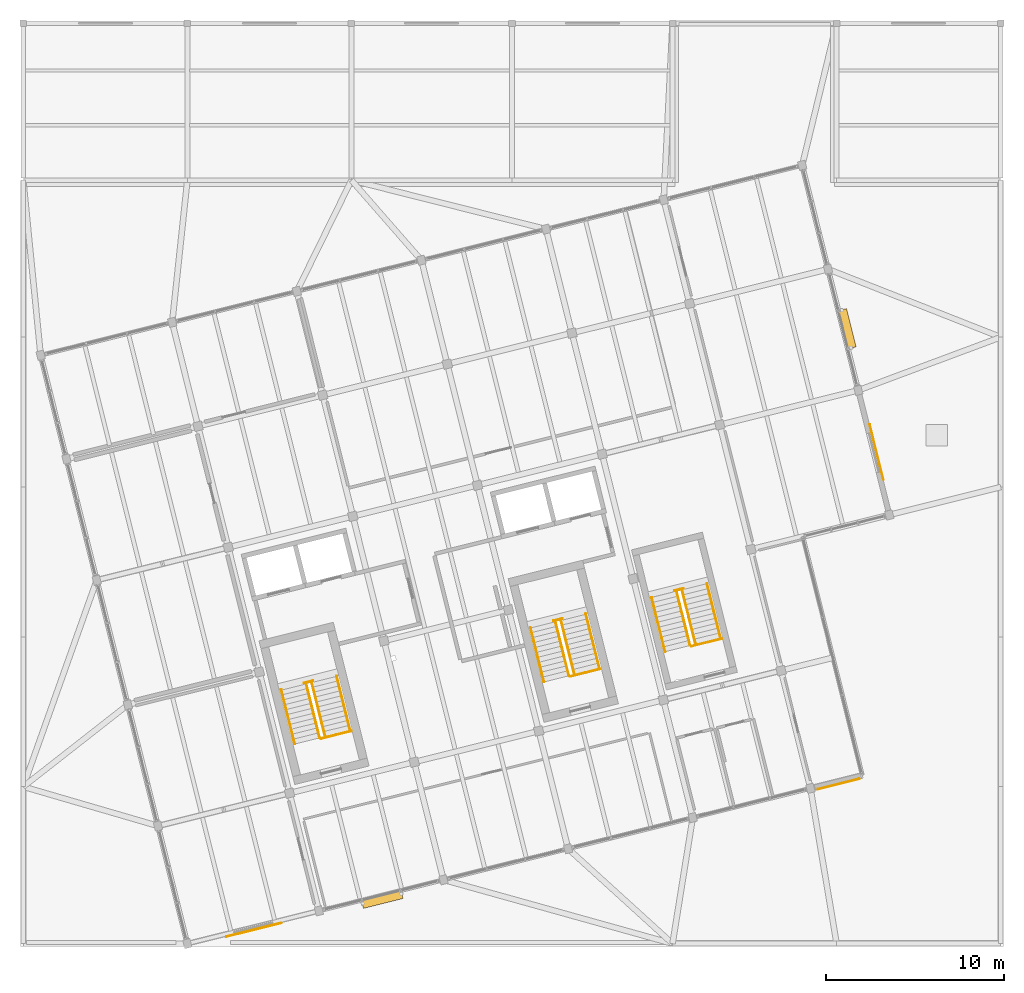
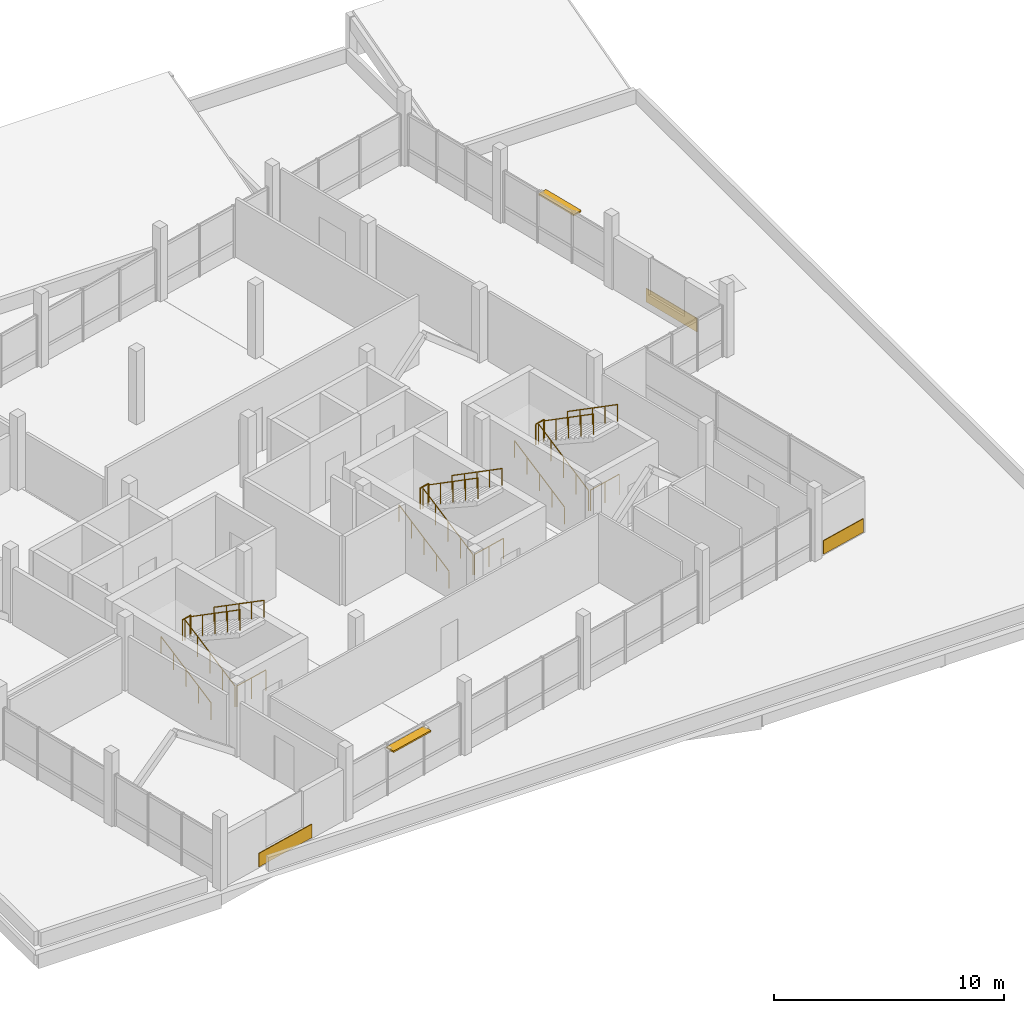
# One storey, part 37 of 37: 18 railings, 3 coverings, 2 shading devices.
"""IFC4 building model written with IfcOpenShell, lengths in metres."""

from ifc_helpers import new_model, si_unit, direction, frame, origin, origin_2d, place, context, subcontext, project, spatial, rectangle, circle, extrude, material, layer, layer_set, type_object, element, save


model = new_model("IFC4")

# Units and contexts
model_context = context("Model", 3, precision=1e-05, world=origin(), true_north=direction((0.0, 1.0)))
body_context = subcontext(model_context, "Body", "Model", "MODEL_VIEW")
ifc_project = project(units=[si_unit("LENGTHUNIT", "METRE"), si_unit("AREAUNIT", "SQUARE_METRE"), si_unit("VOLUMEUNIT", "CUBIC_METRE"), si_unit("PLANEANGLEUNIT", "RADIAN"), si_unit("MASSUNIT", "GRAM", prefix="KILO")], contexts=[model_context])

# Site, building, storey
site_placement = place(None, origin())
site = spatial("IfcSite", under=ifc_project, at=site_placement, CompositionType="ELEMENT")
building_placement = place(site_placement, origin())
building = spatial("IfcBuilding", under=site, at=building_placement, Name="Meriwether Solvik Hall", CompositionType="ELEMENT")
storey_placement = place(building_placement, frame((0.0, 0.0, 26.10009765625)))
storey = spatial("IfcBuildingStorey", under=building, at=storey_placement, Name="L06", CompositionType="ELEMENT", Elevation=26.10009765625)

# Coverings
ifc_material_1 = material(Name="Acetylated Charred Western Red Cedar Timber", Category="wood")
ifc_layer_1 = layer(ifc_material_1, 0.0400390625)
ifc_layer_set_1 = layer_set([ifc_layer_1], Name="Acetylated Charred Western Red Cedar Timber")
covering_type = type_object("IfcCoveringType", Name="COV-CLAD-TIMB", PredefinedType="CLADDING", material=ifc_layer_set_1)
covering_1_placement = place(storey_placement, frame((72.323486328125, 41.973876953125, 0.080078125), z_axis=(0.0, 0.0, 1.0), x_axis=(-0.970295724068, -0.241921904457, 0.0)))
element("IfcCovering", 1, at=covering_1_placement, inside=storey, type_object=covering_type, Name="L06 Charred Cedar Cladding 1.0", PredefinedType="CLADDING", context=body_context, shape_type="SweptSolid", body=[
    extrude(rectangle(XDim=3.199951171875, YDim=0.0400390625, at=origin_2d()), origin(), (0.0, 0.0, 1.0), 0.719970703125),
])
covering_2_placement = place(storey_placement, frame((105.109375, 50.148193359375, 0.080078125), z_axis=(0.0, 0.0, 1.0), x_axis=(-0.970295749051, -0.241921804253, 0.0)))
element("IfcCovering", 2, at=covering_2_placement, inside=storey, type_object=covering_type, Name="L06 Charred Cedar Cladding 1.5", PredefinedType="CLADDING", context=body_context, shape_type="SweptSolid", body=[
    extrude(rectangle(XDim=2.4208984375, YDim=0.0400390625, at=origin_2d()), origin(), (0.0, 0.0, 1.0), 0.719970703125),
])
covering_3_placement = place(storey_placement, frame((107.23876953125, 68.766357421875, 0.080078125), z_axis=(0.0, 0.0, 1.0), x_axis=(0.241921860714, -0.970295734974, 0.0)))
element("IfcCovering", 3, at=covering_3_placement, inside=storey, type_object=covering_type, Name="L06 Charred Cedar Cladding 4.0", PredefinedType="CLADDING", context=body_context, shape_type="SweptSolid", body=[
    extrude(rectangle(XDim=3.199951171875, YDim=0.0400390625, at=origin_2d()), origin(), (0.0, 0.0, 1.0), 0.719970703125),
])

# Railings
ifc_material_2 = material(Name="Steel A36 Galvanised", Category="steel")
ifc_layer_2 = layer(ifc_material_2, 0.054931640625)
ifc_layer_set_2 = layer_set([ifc_layer_2], Name="Steel A36 Galvanised")
railing_type_1 = type_object("IfcRailingType", Name="RAIL-STR-GUARD", PredefinedType="GUARDRAIL", material=ifc_layer_set_2)
railing_1_placement = place(storey_placement, frame((75.158935546875, 55.81591796875, 1.949951171875)))
element("IfcRailing", 4, at=railing_1_placement, inside=storey, type_object=railing_type_1, Name="Stair ST-01 Landing Guardrail (L06)", PredefinedType="GUARDRAIL", context=body_context, shape_type="SweptSolid", body=[
    extrude(circle(Radius=0.02392578125, at=origin_2d()), frame((0.0, 0.0, 1.09619140625), z_axis=(0.970343250308, 0.241731207299, 0.0), x_axis=(-0.241731207299, 0.970343250308, 0.0)), (0.0, 0.0, 1.0), 0.5),
    extrude(circle(Radius=0.02099609375, at=origin_2d()), origin(), (0.0, 0.0, 1.0), 1.072021484375),
    extrude(circle(Radius=0.02099609375, at=origin_2d()), frame((0.485107421875, 0.120849609375, 0.0)), (0.0, 0.0, 1.0), 1.072021484375),
])
railing_2_placement = place(storey_placement, frame((76.092041015625, 52.69384765625, 0.0)))
element("IfcRailing", 5, at=railing_2_placement, inside=storey, type_object=railing_type_1, Name="Stair ST-01 Well Guardrail (L06)", PredefinedType="GUARDRAIL", context=body_context, shape_type="SweptSolid", body=[
    extrude(circle(Radius=0.02392578125, at=origin_2d()), frame((0.0, 0.0, 1.09619140625), z_axis=(0.970298223594, 0.241911879182, 0.0), x_axis=(-0.241911879182, 0.970298223594, 0.0)), (0.0, 0.0, 1.0), 1.75),
    extrude(circle(Radius=0.02099609375, at=origin_2d()), origin(), (0.0, 0.0, 1.0), 1.072021484375),
    extrude(circle(Radius=0.02099609375, at=origin_2d()), frame((0.84912109375, 0.211669921875, 0.0)), (0.0, 0.0, 1.0), 1.072021484375),
    extrude(circle(Radius=0.02099609375, at=origin_2d()), frame((1.697998046875, 0.42333984375, 0.0)), (0.0, 0.0, 1.0), 1.072021484375),
])
railing_3_placement = place(storey_placement, frame((76.019287109375, 52.737548828125, 0.0)))
element("IfcRailing", 6, at=railing_3_placement, inside=storey, type_object=railing_type_1, Name="Stair ST-01 Flight 1 Inner Guardrail (L06)", PredefinedType="GUARDRAIL", context=body_context, shape_type="SweptSolid", body=[
    extrude(circle(Radius=0.02392578125, at=origin_2d()), frame((0.0, 0.0, 1.09619140625), z_axis=(-0.205452207734, 0.823924849814, 0.528145086313), x_axis=(-0.970288906122, -0.2419492481, 0.0)), (0.0, 0.0, 1.0), 3.692138671875),
    extrude(circle(Radius=0.02099609375, at=origin_2d()), origin(), (0.0, 0.0, 1.0), 1.072021484375),
    extrude(circle(Radius=0.02099609375, at=origin_2d()), frame((-0.189697265625, 0.760498046875, 0.487548828125)), (0.0, 0.0, 1.0), 1.072021484375),
    extrude(circle(Radius=0.02099609375, at=origin_2d()), frame((-0.37939453125, 1.52099609375, 0.97509765625)), (0.0, 0.0, 1.0), 1.072021484375),
    extrude(circle(Radius=0.02099609375, at=origin_2d()), frame((-0.56884765625, 2.281494140625, 1.46240234375)), (0.0, 0.0, 1.0), 1.072021484375),
    extrude(circle(Radius=0.02099609375, at=origin_2d()), frame((-0.758544921875, 3.0419921875, 1.949951171875)), (0.0, 0.0, 1.0), 1.072021484375),
])
railing_4_placement = place(storey_placement, frame((75.5712890625, 55.85693359375, 1.949951171875)))
element("IfcRailing", 7, at=railing_4_placement, inside=storey, type_object=railing_type_1, Name="Stair ST-01 Flight 2 Inner Guardrail (L06)", PredefinedType="GUARDRAIL", context=body_context, shape_type="SweptSolid", body=[
    extrude(circle(Radius=0.02392578125, at=origin_2d()), frame((0.0, 0.0, 1.09619140625), z_axis=(0.205388872055, -0.823936041794, 0.528152260498), x_axis=(0.970307185051, 0.241875932325, 0.0)), (0.0, 0.0, 1.0), 3.692138671875),
    extrude(circle(Radius=0.02099609375, at=origin_2d()), origin(), (0.0, 0.0, 1.0), 1.072021484375),
    extrude(circle(Radius=0.02099609375, at=origin_2d()), frame((0.189453125, -0.760498046875, 0.487548828125)), (0.0, 0.0, 1.0), 1.072021484375),
    extrude(circle(Radius=0.02099609375, at=origin_2d()), frame((0.379150390625, -1.52099609375, 0.97509765625)), (0.0, 0.0, 1.0), 1.072021484375),
    extrude(circle(Radius=0.02099609375, at=origin_2d()), frame((0.56884765625, -2.281494140625, 1.46240234375)), (0.0, 0.0, 1.0), 1.072021484375),
    extrude(circle(Radius=0.02099609375, at=origin_2d()), frame((0.75830078125, -3.0419921875, 1.949951171875)), (0.0, 0.0, 1.0), 1.072021484375),
])
railing_5_placement = place(storey_placement, frame((89.131103515625, 59.299560546875, 1.949951171875)))
element("IfcRailing", 8, at=railing_5_placement, inside=storey, type_object=railing_type_1, Name="Stair ST-02 Landing Guardrail (L06)", PredefinedType="GUARDRAIL", context=body_context, shape_type="SweptSolid", body=[
    extrude(circle(Radius=0.02392578125, at=origin_2d()), frame((0.0, 0.0, 1.09619140625), z_axis=(0.970228607419, 0.242190935722, 0.0), x_axis=(-0.242190935722, 0.970228607419, 0.0)), (0.0, 0.0, 1.0), 0.5),
    extrude(circle(Radius=0.02099609375, at=origin_2d()), origin(), (0.0, 0.0, 1.0), 1.072021484375),
    extrude(circle(Radius=0.02099609375, at=origin_2d()), frame((0.485107421875, 0.12109375, 0.0)), (0.0, 0.0, 1.0), 1.072021484375),
])
railing_6_placement = place(storey_placement, frame((90.064208984375, 56.177490234375, 0.0)))
element("IfcRailing", 9, at=railing_6_placement, inside=storey, type_object=railing_type_1, Name="Stair ST-02 Well Guardrail (L06)", PredefinedType="GUARDRAIL", context=body_context, shape_type="SweptSolid", body=[
    extrude(circle(Radius=0.02392578125, at=origin_2d()), frame((0.0, 0.0, 1.09619140625), z_axis=(0.970298223594, 0.241911879182, 0.0), x_axis=(-0.241911879182, 0.970298223594, 0.0)), (0.0, 0.0, 1.0), 1.75),
    extrude(circle(Radius=0.02099609375, at=origin_2d()), origin(), (0.0, 0.0, 1.0), 1.072021484375),
    extrude(circle(Radius=0.02099609375, at=origin_2d()), frame((0.84912109375, 0.211669921875, 0.0)), (0.0, 0.0, 1.0), 1.072021484375),
    extrude(circle(Radius=0.02099609375, at=origin_2d()), frame((1.697998046875, 0.42333984375, 0.0)), (0.0, 0.0, 1.0), 1.072021484375),
])
railing_7_placement = place(storey_placement, frame((89.991455078125, 56.22119140625, 0.0)))
element("IfcRailing", 10, at=railing_7_placement, inside=storey, type_object=railing_type_1, Name="Stair ST-02 Flight 1 Inner Guardrail (L06)", PredefinedType="GUARDRAIL", context=body_context, shape_type="SweptSolid", body=[
    extrude(circle(Radius=0.02392578125, at=origin_2d()), frame((0.0, 0.0, 1.09619140625), z_axis=(-0.205452207734, 0.823924849814, 0.528145086313), x_axis=(-0.970288906122, -0.2419492481, 0.0)), (0.0, 0.0, 1.0), 3.692138671875),
    extrude(circle(Radius=0.02099609375, at=origin_2d()), origin(), (0.0, 0.0, 1.0), 1.072021484375),
    extrude(circle(Radius=0.02099609375, at=origin_2d()), frame((-0.189697265625, 0.760498046875, 0.487548828125)), (0.0, 0.0, 1.0), 1.072021484375),
    extrude(circle(Radius=0.02099609375, at=origin_2d()), frame((-0.37939453125, 1.52099609375, 0.97509765625)), (0.0, 0.0, 1.0), 1.072021484375),
    extrude(circle(Radius=0.02099609375, at=origin_2d()), frame((-0.56884765625, 2.281494140625, 1.46240234375)), (0.0, 0.0, 1.0), 1.072021484375),
    extrude(circle(Radius=0.02099609375, at=origin_2d()), frame((-0.758544921875, 3.0419921875, 1.949951171875)), (0.0, 0.0, 1.0), 1.072021484375),
])
railing_8_placement = place(storey_placement, frame((89.54345703125, 59.340576171875, 1.949951171875)))
element("IfcRailing", 11, at=railing_8_placement, inside=storey, type_object=railing_type_1, Name="Stair ST-02 Flight 2 Inner Guardrail (L06)", PredefinedType="GUARDRAIL", context=body_context, shape_type="SweptSolid", body=[
    extrude(circle(Radius=0.02392578125, at=origin_2d()), frame((0.0, 0.0, 1.09619140625), z_axis=(0.205452207734, -0.823924849814, 0.528145086313), x_axis=(0.970288906122, 0.2419492481, 0.0)), (0.0, 0.0, 1.0), 3.692138671875),
    extrude(circle(Radius=0.02099609375, at=origin_2d()), origin(), (0.0, 0.0, 1.0), 1.072021484375),
    extrude(circle(Radius=0.02099609375, at=origin_2d()), frame((0.189697265625, -0.760498046875, 0.487548828125)), (0.0, 0.0, 1.0), 1.072021484375),
    extrude(circle(Radius=0.02099609375, at=origin_2d()), frame((0.37939453125, -1.52099609375, 0.97509765625)), (0.0, 0.0, 1.0), 1.072021484375),
    extrude(circle(Radius=0.02099609375, at=origin_2d()), frame((0.56884765625, -2.281494140625, 1.46240234375)), (0.0, 0.0, 1.0), 1.072021484375),
    extrude(circle(Radius=0.02099609375, at=origin_2d()), frame((0.758544921875, -3.0419921875, 1.949951171875)), (0.0, 0.0, 1.0), 1.072021484375),
])
railing_9_placement = place(storey_placement, frame((95.92333984375, 60.992919921875, 1.949951171875)))
element("IfcRailing", 12, at=railing_9_placement, inside=storey, type_object=railing_type_1, Name="Stair ST-03 Landing Guardrail (L06)", PredefinedType="GUARDRAIL", context=body_context, shape_type="SweptSolid", body=[
    extrude(circle(Radius=0.02392578125, at=origin_2d()), frame((0.0, 0.0, 1.09619140625), z_axis=(0.970228607419, 0.242190935722, 0.0), x_axis=(-0.242190935722, 0.970228607419, 0.0)), (0.0, 0.0, 1.0), 0.5),
    extrude(circle(Radius=0.02099609375, at=origin_2d()), origin(), (0.0, 0.0, 1.0), 1.072021484375),
    extrude(circle(Radius=0.02099609375, at=origin_2d()), frame((0.485107421875, 0.12109375, 0.0)), (0.0, 0.0, 1.0), 1.072021484375),
])
railing_10_placement = place(storey_placement, frame((96.856201171875, 57.87109375, 0.0)))
element("IfcRailing", 13, at=railing_10_placement, inside=storey, type_object=railing_type_1, Name="Stair ST-03 Well Guardrail (L06)", PredefinedType="GUARDRAIL", context=body_context, shape_type="SweptSolid", body=[
    extrude(circle(Radius=0.02392578125, at=origin_2d()), frame((0.0, 0.0, 1.09619140625), z_axis=(0.970298223594, 0.241911879182, 0.0), x_axis=(-0.241911879182, 0.970298223594, 0.0)), (0.0, 0.0, 1.0), 1.75),
    extrude(circle(Radius=0.02099609375, at=origin_2d()), origin(), (0.0, 0.0, 1.0), 1.072021484375),
    extrude(circle(Radius=0.02099609375, at=origin_2d()), frame((0.84912109375, 0.211669921875, 0.0)), (0.0, 0.0, 1.0), 1.072021484375),
    extrude(circle(Radius=0.02099609375, at=origin_2d()), frame((1.697998046875, 0.42333984375, 0.0)), (0.0, 0.0, 1.0), 1.072021484375),
])
railing_11_placement = place(storey_placement, frame((96.783447265625, 57.914794921875, 0.0)))
element("IfcRailing", 14, at=railing_11_placement, inside=storey, type_object=railing_type_1, Name="Stair ST-03 Flight 1 Inner Guardrail (L06)", PredefinedType="GUARDRAIL", context=body_context, shape_type="SweptSolid", body=[
    extrude(circle(Radius=0.02392578125, at=origin_2d()), frame((0.0, 0.0, 1.09619140625), z_axis=(-0.205400062928, 0.823914804899, 0.528181037541), x_axis=(-0.97030262861, -0.241894210166, 0.0)), (0.0, 0.0, 1.0), 3.69189453125),
    extrude(circle(Radius=0.02099609375, at=origin_2d()), origin(), (0.0, 0.0, 1.0), 1.072021484375),
    extrude(circle(Radius=0.02099609375, at=origin_2d()), frame((-0.189453125, 0.760498046875, 0.487548828125)), (0.0, 0.0, 1.0), 1.072021484375),
    extrude(circle(Radius=0.02099609375, at=origin_2d()), frame((-0.379150390625, 1.52099609375, 0.97509765625)), (0.0, 0.0, 1.0), 1.072021484375),
    extrude(circle(Radius=0.02099609375, at=origin_2d()), frame((-0.56884765625, 2.28125, 1.46240234375)), (0.0, 0.0, 1.0), 1.072021484375),
    extrude(circle(Radius=0.02099609375, at=origin_2d()), frame((-0.75830078125, 3.041748046875, 1.949951171875)), (0.0, 0.0, 1.0), 1.072021484375),
])
railing_12_placement = place(storey_placement, frame((96.335693359375, 61.033935546875, 1.949951171875)))
element("IfcRailing", 15, at=railing_12_placement, inside=storey, type_object=railing_type_1, Name="Stair ST-03 Flight 2 Inner Guardrail (L06)", PredefinedType="GUARDRAIL", context=body_context, shape_type="SweptSolid", body=[
    extrude(circle(Radius=0.02392578125, at=origin_2d()), frame((0.0, 0.0, 1.09619140625), z_axis=(0.205400062928, -0.823914804899, 0.528181037541), x_axis=(0.97030262861, 0.241894210166, 0.0)), (0.0, 0.0, 1.0), 3.69189453125),
    extrude(circle(Radius=0.02099609375, at=origin_2d()), origin(), (0.0, 0.0, 1.0), 1.072021484375),
    extrude(circle(Radius=0.02099609375, at=origin_2d()), frame((0.189453125, -0.760498046875, 0.487548828125)), (0.0, 0.0, 1.0), 1.072021484375),
    extrude(circle(Radius=0.02099609375, at=origin_2d()), frame((0.379150390625, -1.52099609375, 0.97509765625)), (0.0, 0.0, 1.0), 1.072021484375),
    extrude(circle(Radius=0.02099609375, at=origin_2d()), frame((0.56884765625, -2.28125, 1.46240234375)), (0.0, 0.0, 1.0), 1.072021484375),
    extrude(circle(Radius=0.02099609375, at=origin_2d()), frame((0.75830078125, -3.041748046875, 1.949951171875)), (0.0, 0.0, 1.0), 1.072021484375),
])
ifc_material_3 = material(Name="Stainless Steel AISI 316", Category="steel")
ifc_layer_3 = layer(ifc_material_3, 0.044921875)
ifc_layer_set_3 = layer_set([ifc_layer_3], Name="Stainless Steel AISI 316")
railing_type_2 = type_object("IfcRailingType", Name="RAIL-STR-HAND", PredefinedType="HANDRAIL", material=ifc_layer_set_3)
railing_13_placement = place(storey_placement, frame((74.6220703125, 52.38916015625, 0.0)))
element("IfcRailing", 16, at=railing_13_placement, inside=storey, type_object=railing_type_2, Name="Stair ST-01 Lower Handrail (L06)", PredefinedType="HANDRAIL", context=body_context, shape_type="SweptSolid", body=[
    extrude(circle(Radius=0.02392578125, at=origin_2d()), frame((0.0, 0.0, 0.89599609375), z_axis=(-0.205467106702, 0.823914517495, 0.528155408876), x_axis=(-0.970284074567, -0.241968623258, 0.0)), (0.0, 0.0, 1.0), 3.698974609375),
    extrude(circle(Radius=0.02099609375, at=origin_2d()), origin(), (0.0, 0.0, 1.0), 0.871826171875),
    extrude(circle(Radius=0.02099609375, at=origin_2d()), frame((-0.18994140625, 0.761962890625, 0.48828125)), (0.0, 0.0, 1.0), 0.871826171875),
    extrude(circle(Radius=0.02099609375, at=origin_2d()), frame((-0.3798828125, 1.52392578125, 0.976806640625)), (0.0, 0.0, 1.0), 0.871826171875),
    extrude(circle(Radius=0.02099609375, at=origin_2d()), frame((-0.570068359375, 2.28564453125, 1.46533203125)), (0.0, 0.0, 1.0), 0.871826171875),
    extrude(circle(Radius=0.02099609375, at=origin_2d()), frame((-0.760009765625, 3.047607421875, 1.95361328125)), (0.0, 0.0, 1.0), 0.871826171875),
])
railing_14_placement = place(storey_placement, frame((76.968505859375, 56.205322265625, 1.949951171875)))
element("IfcRailing", 17, at=railing_14_placement, inside=storey, type_object=railing_type_2, Name="Stair ST-01 Upper Handrail (L06)", PredefinedType="HANDRAIL", context=body_context, shape_type="SweptSolid", body=[
    extrude(circle(Radius=0.02392578125, at=origin_2d()), frame((0.0, 0.0, 0.89599609375), z_axis=(0.205403888919, -0.823925689387, 0.528162570414), x_axis=(0.970302321101, 0.241895443665, 0.0)), (0.0, 0.0, 1.0), 3.698974609375),
    extrude(circle(Radius=0.02099609375, at=origin_2d()), origin(), (0.0, 0.0, 1.0), 0.871826171875),
    extrude(circle(Radius=0.02099609375, at=origin_2d()), frame((0.18994140625, -0.761962890625, 0.48828125)), (0.0, 0.0, 1.0), 0.871826171875),
    extrude(circle(Radius=0.02099609375, at=origin_2d()), frame((0.3798828125, -1.52392578125, 0.976806640625)), (0.0, 0.0, 1.0), 0.871826171875),
    extrude(circle(Radius=0.02099609375, at=origin_2d()), frame((0.56982421875, -2.28564453125, 1.46533203125)), (0.0, 0.0, 1.0), 0.871826171875),
    extrude(circle(Radius=0.02099609375, at=origin_2d()), frame((0.759765625, -3.047607421875, 1.95361328125)), (0.0, 0.0, 1.0), 0.871826171875),
])
railing_15_placement = place(storey_placement, frame((88.59423828125, 55.872802734375, 0.0)))
element("IfcRailing", 18, at=railing_15_placement, inside=storey, type_object=railing_type_2, Name="Stair ST-02 Lower Handrail (L06)", PredefinedType="HANDRAIL", context=body_context, shape_type="SweptSolid", body=[
    extrude(circle(Radius=0.02392578125, at=origin_2d()), frame((0.0, 0.0, 0.89599609375), z_axis=(-0.205403888919, 0.823925689387, 0.528162570414), x_axis=(-0.970302321101, -0.241895443665, 0.0)), (0.0, 0.0, 1.0), 3.698974609375),
    extrude(circle(Radius=0.02099609375, at=origin_2d()), origin(), (0.0, 0.0, 1.0), 0.871826171875),
    extrude(circle(Radius=0.02099609375, at=origin_2d()), frame((-0.18994140625, 0.761962890625, 0.48828125)), (0.0, 0.0, 1.0), 0.871826171875),
    extrude(circle(Radius=0.02099609375, at=origin_2d()), frame((-0.3798828125, 1.52392578125, 0.976806640625)), (0.0, 0.0, 1.0), 0.871826171875),
    extrude(circle(Radius=0.02099609375, at=origin_2d()), frame((-0.56982421875, 2.28564453125, 1.46533203125)), (0.0, 0.0, 1.0), 0.871826171875),
    extrude(circle(Radius=0.02099609375, at=origin_2d()), frame((-0.759765625, 3.047607421875, 1.95361328125)), (0.0, 0.0, 1.0), 0.871826171875),
])
railing_16_placement = place(storey_placement, frame((90.940673828125, 59.68896484375, 1.949951171875)))
element("IfcRailing", 19, at=railing_16_placement, inside=storey, type_object=railing_type_2, Name="Stair ST-02 Upper Handrail (L06)", PredefinedType="HANDRAIL", context=body_context, shape_type="SweptSolid", body=[
    extrude(circle(Radius=0.02392578125, at=origin_2d()), frame((0.0, 0.0, 0.89599609375), z_axis=(0.205467106702, -0.823914517495, 0.528155408876), x_axis=(0.970284074567, 0.241968623258, 0.0)), (0.0, 0.0, 1.0), 3.698974609375),
    extrude(circle(Radius=0.02099609375, at=origin_2d()), origin(), (0.0, 0.0, 1.0), 0.871826171875),
    extrude(circle(Radius=0.02099609375, at=origin_2d()), frame((0.18994140625, -0.761962890625, 0.48828125)), (0.0, 0.0, 1.0), 0.871826171875),
    extrude(circle(Radius=0.02099609375, at=origin_2d()), frame((0.3798828125, -1.52392578125, 0.976806640625)), (0.0, 0.0, 1.0), 0.871826171875),
    extrude(circle(Radius=0.02099609375, at=origin_2d()), frame((0.570068359375, -2.28564453125, 1.46533203125)), (0.0, 0.0, 1.0), 0.871826171875),
    extrude(circle(Radius=0.02099609375, at=origin_2d()), frame((0.760009765625, -3.047607421875, 1.95361328125)), (0.0, 0.0, 1.0), 0.871826171875),
])
railing_17_placement = place(storey_placement, frame((95.38623046875, 57.56640625, 0.0)))
element("IfcRailing", 20, at=railing_17_placement, inside=storey, type_object=railing_type_2, Name="Stair ST-03 Lower Handrail (L06)", PredefinedType="HANDRAIL", context=body_context, shape_type="SweptSolid", body=[
    extrude(circle(Radius=0.02392578125, at=origin_2d()), frame((0.0, 0.0, 0.89599609375), z_axis=(-0.205415059707, 0.823904490764, 0.528191294271), x_axis=(-0.970297772345, -0.241913689115, 0.0)), (0.0, 0.0, 1.0), 3.69873046875),
    extrude(circle(Radius=0.02099609375, at=origin_2d()), origin(), (0.0, 0.0, 1.0), 0.871826171875),
    extrude(circle(Radius=0.02099609375, at=origin_2d()), frame((-0.18994140625, 0.76171875, 0.48828125)), (0.0, 0.0, 1.0), 0.871826171875),
    extrude(circle(Radius=0.02099609375, at=origin_2d()), frame((-0.3798828125, 1.523681640625, 0.976806640625)), (0.0, 0.0, 1.0), 0.871826171875),
    extrude(circle(Radius=0.02099609375, at=origin_2d()), frame((-0.56982421875, 2.28564453125, 1.46533203125)), (0.0, 0.0, 1.0), 0.871826171875),
    extrude(circle(Radius=0.02099609375, at=origin_2d()), frame((-0.759765625, 3.04736328125, 1.95361328125)), (0.0, 0.0, 1.0), 0.871826171875),
])
railing_18_placement = place(storey_placement, frame((97.73291015625, 61.38232421875, 1.949951171875)))
element("IfcRailing", 21, at=railing_18_placement, inside=storey, type_object=railing_type_2, Name="Stair ST-03 Upper Handrail (L06)", PredefinedType="HANDRAIL", context=body_context, shape_type="SweptSolid", body=[
    extrude(circle(Radius=0.02392578125, at=origin_2d()), frame((0.0, 0.0, 0.89599609375), z_axis=(0.205415059707, -0.823904490764, 0.528191294271), x_axis=(0.970297772345, 0.241913689115, 0.0)), (0.0, 0.0, 1.0), 3.69873046875),
    extrude(circle(Radius=0.02099609375, at=origin_2d()), origin(), (0.0, 0.0, 1.0), 0.871826171875),
    extrude(circle(Radius=0.02099609375, at=origin_2d()), frame((0.18994140625, -0.76171875, 0.48828125)), (0.0, 0.0, 1.0), 0.871826171875),
    extrude(circle(Radius=0.02099609375, at=origin_2d()), frame((0.3798828125, -1.523681640625, 0.976806640625)), (0.0, 0.0, 1.0), 0.871826171875),
    extrude(circle(Radius=0.02099609375, at=origin_2d()), frame((0.56982421875, -2.28564453125, 1.46533203125)), (0.0, 0.0, 1.0), 0.871826171875),
    extrude(circle(Radius=0.02099609375, at=origin_2d()), frame((0.759765625, -3.04736328125, 1.95361328125)), (0.0, 0.0, 1.0), 0.871826171875),
])

# Shading devices
ifc_material_4 = material(Name="Anodised Aluminium 6063-T6", Category="aluminium")
shading_device_type_1 = type_object("IfcShadingDeviceType", Name="SHD-LOUVRE-S", PredefinedType="SHUTTER", material=ifc_material_4)
shading_device_1_placement = place(storey_placement, frame((79.525390625, 43.6767578125, 2.48974609375), z_axis=(0.0, 0.0, 1.0), x_axis=(-0.970295734974, -0.241921860714, 0.0)))
element("IfcShadingDevice", 22, at=shading_device_1_placement, inside=storey, type_object=shading_device_type_1, Name="Solar Shading Louvre E0_B1", PredefinedType="SHUTTER", context=body_context, shape_type="SweptSolid", body=[
    extrude(rectangle(XDim=2.279052734375, YDim=0.4599609375, at=origin_2d()), origin(), (0.0, 0.0, 1.0), 0.080078125),
])
ifc_material_5 = material(Name="Anodised Aluminium 6063-T6", Category="aluminium")
shading_device_type_2 = type_object("IfcShadingDeviceType", Name="SHD-LOUVRE-W", PredefinedType="USERDEFINED", material=ifc_material_5)
shading_device_2_placement = place(storey_placement, frame((105.598876953125, 75.6748046875, 2.48974609375), z_axis=(0.0, 0.0, 1.0), x_axis=(0.241921764185, -0.970295759041, 0.0)))
element("IfcShadingDevice", 23, at=shading_device_2_placement, inside=storey, type_object=shading_device_type_2, Name="Solar Shading Louvre E3_B1", ObjectType="LOUVER", PredefinedType="USERDEFINED", context=body_context, shape_type="SweptSolid", body=[
    extrude(rectangle(XDim=2.21240234375, YDim=0.4599609375, at=origin_2d()), origin(), (0.0, 0.0, 1.0), 0.080078125),
])

save(model, "model.ifc")
